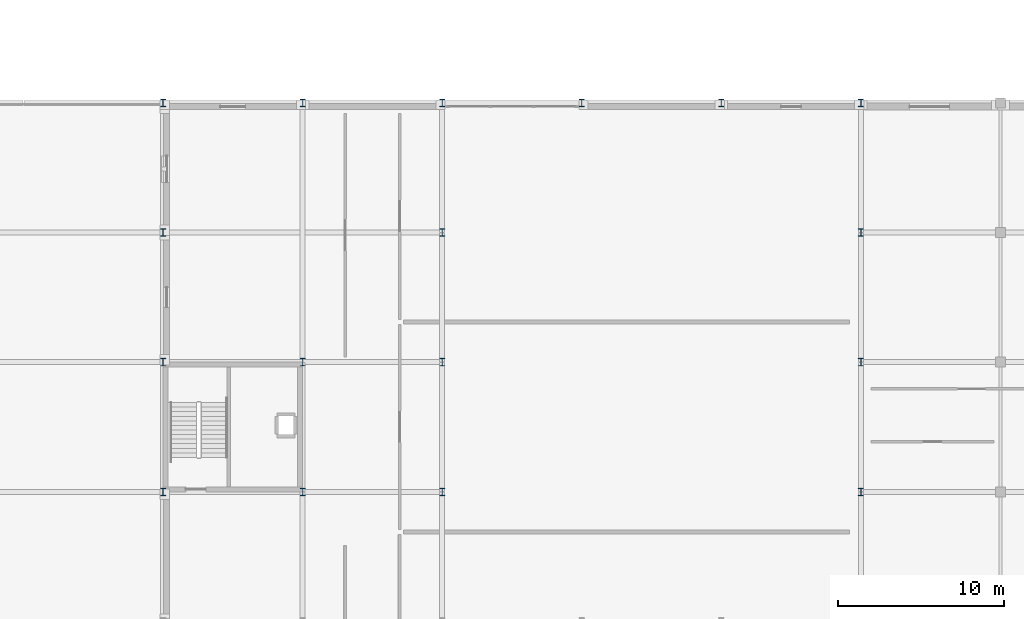
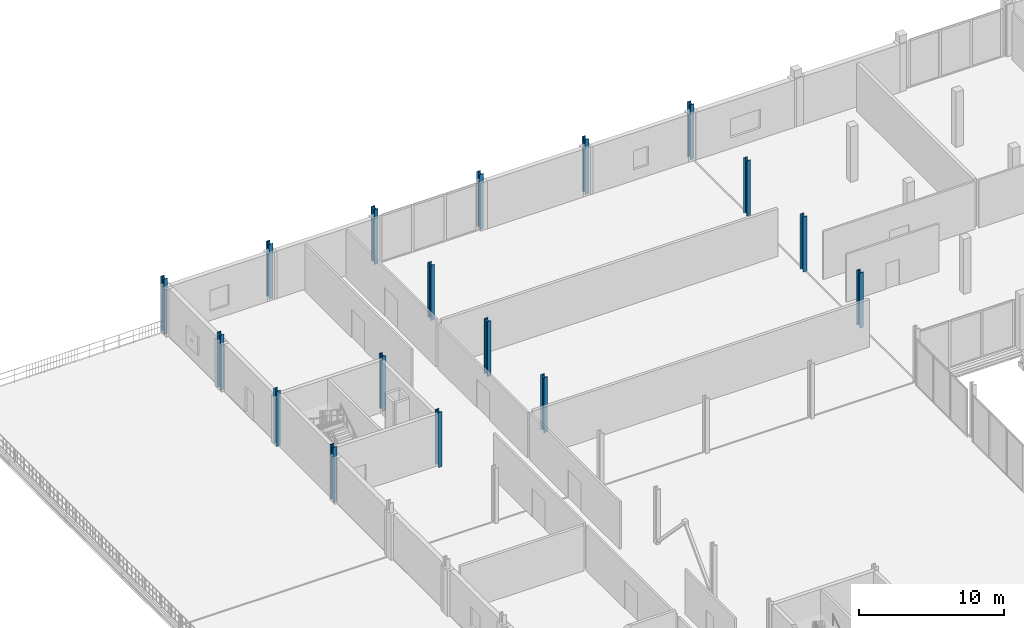
# One storey, part 8 of 98: 17 columns.
"""IFC4 building model written with IfcOpenShell, lengths in metres."""

import ifcopenshell
import ifcopenshell.guid

model = None  # the IFC model being written
_history = None  # IfcOwnerHistory: only IFC2X3 demands one
_inside = {}  # id of a spatial element -> (the spatial element, [elements in it])
_under = {}  # id of a project, library or spatial element -> (it, [spatial elements below it])
_declared = {}  # id of a project -> (the project, [libraries it declares])
_typed = {}  # id of a type object -> (the type object, [elements of that type])
_made_of = {}  # id of a material, layer set ... -> (it, [elements and type objects made of it])


def new_model(schema):
    """Start an empty IFC model of exactly this schema.

    Asked for "IFC4X3", IfcOpenShell would pick the latest addendum, in which some entities
    have other attributes; the version numbers below select the first issue.
    IFC2X3 requires an IfcOwnerHistory on every rooted entity: one is made here for all.
    """
    global model, _history
    if schema == "IFC4X3":
        model = ifcopenshell.file(schema_version=(4, 3, 0, 0))
    else:
        model = ifcopenshell.file(schema=schema)
    _inside.clear()
    _under.clear()
    _declared.clear()
    _typed.clear()
    _made_of.clear()
    _history = None
    if model.schema == "IFC2X3":
        org = make("IfcOrganization", Name="unknown")
        user = make(
            "IfcPersonAndOrganization",
            ThePerson=make("IfcPerson", FamilyName="unknown"),
            TheOrganization=org,
        )
        app = make(
            "IfcApplication",
            ApplicationDeveloper=org,
            Version="unknown",
            ApplicationFullName="unknown",
            ApplicationIdentifier="unknown",
        )
        _history = make(
            "IfcOwnerHistory",
            OwningUser=user,
            OwningApplication=app,
            ChangeAction="ADDED",
            CreationDate=0,
        )
    return model


def make(cls, **values):
    """One entity of the class cls with the attributes given. An attribute that is None is left unset."""
    return model.create_entity(
        cls, **{name: value for name, value in values.items() if value is not None}
    )


def rooted(cls, **values):
    """An entity with a GlobalId (a new one), such as an element, a storey or a relation."""
    return make(cls, GlobalId=ifcopenshell.guid.new(), OwnerHistory=_history, **values)


def si_unit(unit_type, name, prefix=None):
    """IfcSIUnit, for example si_unit("LENGTHUNIT", "METRE", prefix="MILLI")."""
    return make("IfcSIUnit", UnitType=unit_type, Prefix=prefix, Name=name)


def assignment(units):
    """IfcUnitAssignment: the units of a project."""
    return None if units is None else make("IfcUnitAssignment", Units=units)


def point(xyz):
    """IfcCartesianPoint."""
    return None if xyz is None else make("IfcCartesianPoint", Coordinates=xyz)


def direction(xyz):
    """IfcDirection."""
    return None if xyz is None else make("IfcDirection", DirectionRatios=xyz)


def frame(location, z_axis=None, x_axis=None):
    """IfcAxis2Placement3D, a coordinate frame: its origin and axes. An axis left out is left unset."""
    return make(
        "IfcAxis2Placement3D",
        Location=point(location),
        Axis=direction(z_axis),
        RefDirection=direction(x_axis),
    )


def frame_2d(location, x_axis=None):
    """IfcAxis2Placement2D, a coordinate frame in the plane: its origin and x axis."""
    return make(
        "IfcAxis2Placement2D", Location=point(location), RefDirection=direction(x_axis)
    )


def origin():
    """The frame at (0, 0, 0) with its axes left unset."""
    return frame((0.0, 0.0, 0.0))


def origin_2d():
    """The frame at (0, 0) in the plane with its x axis left unset."""
    return frame_2d((0.0, 0.0))


def place(relative_to, where):
    """IfcLocalPlacement: puts the frame where relative to a parent placement (None: the world)."""
    return make(
        "IfcLocalPlacement", PlacementRelTo=relative_to, RelativePlacement=where
    )


def context(
    kind, dimensions, precision=None, world=None, true_north=None, identifier=None
):
    """IfcGeometricRepresentationContext, for example the 3D "Model" context."""
    return make(
        "IfcGeometricRepresentationContext",
        ContextIdentifier=identifier,
        ContextType=kind,
        CoordinateSpaceDimension=dimensions,
        Precision=precision,
        WorldCoordinateSystem=world,
        TrueNorth=true_north,
    )


def subcontext(parent, identifier, kind, view, scale=None):
    """IfcGeometricRepresentationSubContext, for example "Body" below "Model"."""
    return make(
        "IfcGeometricRepresentationSubContext",
        ContextIdentifier=identifier,
        ContextType=kind,
        ParentContext=parent,
        TargetScale=scale,
        TargetView=view,
    )


def project(units=None, contexts=None):
    """IfcProject with its units and contexts."""
    return rooted(
        "IfcProject",
        Name="project",
        RepresentationContexts=contexts,
        UnitsInContext=assignment(units),
    )


def spatial(cls, under=None, at=None, **own):
    """A site, building, storey or space (cls), placed at a placement, below another one or the project."""
    s = rooted(cls, ObjectPlacement=at, **own)
    if under is not None:
        _under.setdefault(under.id(), (under, []))[1].append(s)
    return s


def profile(cls, at=None, kind="AREA", **sizes):
    """A parametric profile (cls). Its sizes go by their IFC names, for example OverallWidth=200.0."""
    return make(cls, ProfileType=kind, Position=at, **sizes)


def i_section(**sizes):
    """IfcIShapeProfileDef."""
    return profile("IfcIShapeProfileDef", **sizes)


def extrude(swept, where, along, depth):
    """IfcExtrudedAreaSolid: the profile swept, set in the frame where, extruded along a direction by depth."""
    return make(
        "IfcExtrudedAreaSolid",
        SweptArea=swept,
        Position=where,
        ExtrudedDirection=direction(along),
        Depth=depth,
    )


def shape(context_of_items, identifier, shape_type, items):
    """IfcShapeRepresentation: the items that make up one representation, for example the "Body"."""
    return make(
        "IfcShapeRepresentation",
        ContextOfItems=context_of_items,
        RepresentationIdentifier=identifier,
        RepresentationType=shape_type,
        Items=items,
    )


def material(Name=None, Category=None):
    """IfcMaterial."""
    return make("IfcMaterial", Name=Name, Category=Category)


def material_profile(
    of_material, cross_section, Name=None, Category=None, Priority=None
):
    """IfcMaterialProfile: a cross section and its material."""
    return make(
        "IfcMaterialProfile",
        Name=Name,
        Material=of_material,
        Profile=cross_section,
        Priority=Priority,
        Category=Category,
    )


def profile_set(profiles, Name=None, composite=None):
    """IfcMaterialProfileSet."""
    return make(
        "IfcMaterialProfileSet",
        Name=Name,
        MaterialProfiles=profiles,
        CompositeProfile=composite,
    )


def made_of(thing, what):
    """Note that an element or type object is made of a material, layer set ...; save() writes the relation."""
    if what is not None:
        _made_of.setdefault(what.id(), (what, []))[1].append(thing)
    return thing


def type_object(cls, material=None, **own):
    """A type object (cls), such as IfcWallType, which elements share."""
    return made_of(rooted(cls, **own), material)


def element(
    cls,
    number,
    at=None,
    inside=None,
    cuts=None,
    type_object=None,
    material=None,
    context=None,
    identifier="Body",
    shape_type=None,
    held_by="IfcProductDefinitionShape",
    body=None,
    shapes=None,
    **own,
):
    """One element of the class cls, such as IfcWall. Its Tag is "e" and its number.

    at: its placement. inside: the storey or other place that contains it. cuts: it is an
    opening in that element (IfcRelVoidsElement). A single representation is given by context,
    identifier, shape_type and body (its items); several are given by shapes. held_by: the class
    of the entity that holds the representations. save() writes the other relations.
    """
    e = rooted(cls, Tag="e%d" % number, ObjectPlacement=at, **own)
    if body is not None:
        shapes = [shape(context, identifier, shape_type, body)]
    if shapes is not None:
        e.Representation = make(held_by, Representations=shapes)
    if inside is not None:
        _inside.setdefault(inside.id(), (inside, []))[1].append(e)
    if cuts is not None:
        rooted(
            "IfcRelVoidsElement", RelatingBuildingElement=cuts, RelatedOpeningElement=e
        )
    if type_object is not None:
        _typed.setdefault(type_object.id(), (type_object, []))[1].append(e)
    return made_of(e, material)


def aggregate(whole, parts):
    """IfcRelAggregates: a whole, such as a stair, and the parts it consists of."""
    return rooted("IfcRelAggregates", RelatingObject=whole, RelatedObjects=parts)


def save(model, path):
    """Write the relations noted so far, then the file.

    IfcRelAggregates (storeys below a building ...), IfcRelContainedInSpatialStructure (elements
    in a storey), IfcRelDefinesByType, IfcRelAssociatesMaterial and IfcRelDeclares: one each for
    every whole, place, type object, material and project.
    """
    for whole, parts in _under.values():
        aggregate(whole, parts)
    for where, things in _inside.values():
        rooted(
            "IfcRelContainedInSpatialStructure",
            RelatedElements=things,
            RelatingStructure=where,
        )
    for kind, things in _typed.values():
        rooted("IfcRelDefinesByType", RelatedObjects=things, RelatingType=kind)
    for what, things in _made_of.values():
        rooted("IfcRelAssociatesMaterial", RelatedObjects=things, RelatingMaterial=what)
    for by, libraries in _declared.values():
        rooted("IfcRelDeclares", RelatingContext=by, RelatedDefinitions=libraries)
    model.write(path)


model = new_model("IFC4")

# Units and contexts
model_context = context("Model", 3, precision=1e-05, world=origin(), true_north=direction((0.0, 1.0)))
body_context = subcontext(model_context, "Body", "Model", "MODEL_VIEW")
ifc_project = project(units=[si_unit("LENGTHUNIT", "METRE"), si_unit("AREAUNIT", "SQUARE_METRE"), si_unit("VOLUMEUNIT", "CUBIC_METRE"), si_unit("PLANEANGLEUNIT", "RADIAN"), si_unit("MASSUNIT", "GRAM", prefix="KILO")], contexts=[model_context])

# Site, building, storey
site_placement = place(None, origin())
site = spatial("IfcSite", under=ifc_project, at=site_placement, CompositionType="ELEMENT")
building_placement = place(site_placement, origin())
building = spatial("IfcBuilding", under=site, at=building_placement, Name="Nabrawat Pavilion Hospital", CompositionType="ELEMENT")
storey_placement = place(building_placement, frame((0.0, 0.0, 10.199951171875)))
storey = spatial("IfcBuildingStorey", under=building, at=storey_placement, Name="L02", CompositionType="ELEMENT", Elevation=10.199951171875)

# Columns
ifc_material = material(Name="Steel S355", Category="steel")
ifc_material_profile = material_profile(ifc_material, i_section(OverallWidth=0.300048828125, OverallDepth=0.449951171875, WebThickness=0.013916015625, FlangeThickness=0.02587890625, FilletRadius=0.027099609375, at=origin_2d()), Name="HEB 450")
ifc_profile_set = profile_set([ifc_material_profile], Name="Steel S355")
column_type = type_object("IfcColumnType", Name="Composite Steel Column HEB 450", PredefinedType="COLUMN", material=ifc_profile_set)
for number, where, z_axis, x_axis, name in (
    (1, (16.800048828125, 93.60009765625, 0.0), (0.0, 0.0, 1.0), (1.0, 0.0, 0.0), "L02 Structural Column G-3-N"),
    (2, (16.800048828125, 101.39990234375, 0.0), (0.0, 0.0, 1.0), (1.0, 0.0, 0.0), "L02 Structural Column G-3-P"),
    (3, (16.800048828125, 109.199951171875, 0.0), (0.0, 0.0, 1.0), (1.0, 0.0, 0.0), "L02 Structural Column G-3-Q"),
    (4, (16.800048828125, 117.0, 0.0), (0.0, 0.0, 1.0), (1.0, 0.0, 0.0), "L02 Structural Column G-3-R"),
    (5, (25.199951171875, 93.60009765625, 0.0), (0.0, 0.0, 1.0), (1.0, 0.0, 0.0), "L02 Structural Column G-4-N"),
    (6, (25.199951171875, 101.39990234375, 0.0), (0.0, 0.0, 1.0), (1.0, 0.0, 0.0), "L02 Structural Column G-4-P"),
    (7, (25.199951171875, 117.0, 0.0), (0.0, 0.0, 1.0), (1.0, 0.0, 0.0), "L02 Structural Column G-4-R"),
    (8, (33.60009765625, 93.60009765625, 0.0), (0.0, 0.0, 1.0), (1.0, 0.0, 0.0), "L02 Structural Column G-5-N"),
    (9, (33.60009765625, 101.39990234375, 0.0), (0.0, 0.0, 1.0), (1.0, 0.0, 0.0), "L02 Structural Column G-5-P"),
    (10, (33.60009765625, 109.199951171875, 0.0), (0.0, 0.0, 1.0), (1.0, 0.0, 0.0), "L02 Structural Column G-5-Q"),
    (11, (33.60009765625, 117.0, 0.0), (0.0, 0.0, 1.0), (1.0, 0.0, 0.0), "L02 Structural Column G-5-R"),
    (12, (42.0, 117.0, 0.0), (0.0, 0.0, 1.0), (1.0, 0.0, 0.0), "L02 Structural Column G-6-R"),
    (13, (50.39990234375, 117.0, 0.0), (0.0, 0.0, 1.0), (1.0, 0.0, 0.0), "L02 Structural Column G-7-R"),
    (14, (58.800048828125, 93.60009765625, 0.0), (0.0, 0.0, 1.0), (1.0, 0.0, 0.0), "L02 Structural Column G-8A-N"),
    (15, (58.800048828125, 101.39990234375, 0.0), (0.0, 0.0, 1.0), (1.0, 0.0, 0.0), "L02 Structural Column G-8A-P"),
    (16, (58.800048828125, 109.199951171875, 0.0), (0.0, 0.0, 1.0), (1.0, 0.0, 0.0), "L02 Structural Column G-8A-Q"),
    (17, (58.800048828125, 117.0, 0.0), (0.0, 0.0, 1.0), (1.0, 0.0, 0.0), "L02 Structural Column G-8A-R"),
):
    element("IfcColumn", number, at=place(storey_placement, frame(where, z_axis=z_axis, x_axis=x_axis)), inside=storey, type_object=column_type, Name=name, PredefinedType="COLUMN", context=body_context, shape_type="SweptSolid", body=[
        extrude(i_section(OverallWidth=0.300048828125, OverallDepth=0.449951171875, WebThickness=0.013916015625, FlangeThickness=0.02587890625, FilletRadius=0.027099609375, at=origin_2d()), origin(), (0.0, 0.0, 1.0), 4.650146484375),
    ])

save(model, "model.ifc")
